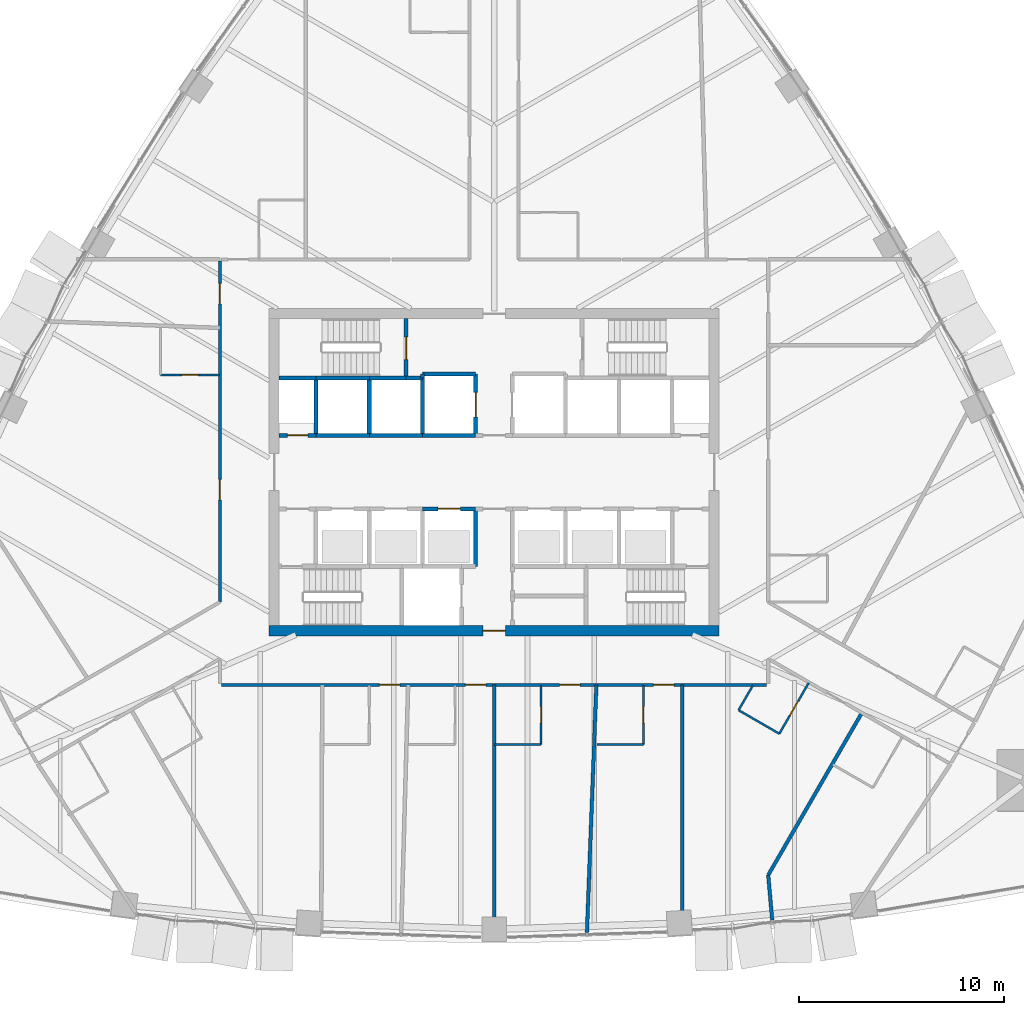
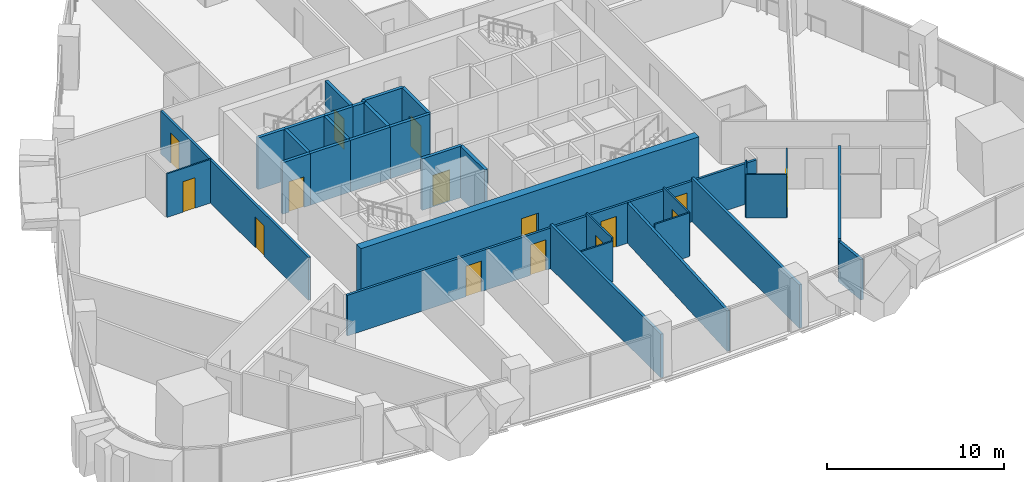
# One storey, part 11 of 18: 33 walls, 15 doors, 15 openings.
"""IFC4 building model written with IfcOpenShell, lengths in metres."""

from ifc_helpers import new_model, si_unit, direction, frame, frame_2d, origin, place, context, subcontext, project, spatial, rectangle, extrude, material, layer, layer_set, type_object, element, fill, save


model = new_model("IFC4")

# Units and contexts
model_context = context("Model", 3, precision=1e-05, world=origin(), true_north=direction((0.0, 1.0)))
body_context = subcontext(model_context, "Body", "Model", "MODEL_VIEW")
ifc_project = project(units=[si_unit("LENGTHUNIT", "METRE"), si_unit("AREAUNIT", "SQUARE_METRE"), si_unit("VOLUMEUNIT", "CUBIC_METRE"), si_unit("PLANEANGLEUNIT", "RADIAN"), si_unit("MASSUNIT", "GRAM", prefix="KILO")], contexts=[model_context])

# Site, building, storey
site_placement = place(None, origin())
site = spatial("IfcSite", under=ifc_project, at=site_placement, CompositionType="ELEMENT")
building_placement = place(site_placement, origin())
building = spatial("IfcBuilding", under=site, at=building_placement, Name="Sierra Prisma Convention Tower", CompositionType="ELEMENT")
storey_placement = place(building_placement, frame((0.0, 0.0, 85.0)))
storey = spatial("IfcBuildingStorey", under=building, at=storey_placement, Name="L17", CompositionType="ELEMENT", Elevation=85.0)

# Wall, opening, door
ifc_material_1 = material(Name="Gypsum board partition", Category="gypsum")
ifc_layer_1 = layer(ifc_material_1, 0.10009765625)
ifc_layer_set_1 = layer_set([ifc_layer_1], Name="Bathroom partition 100")
wall_type_1 = type_object("IfcWallType", Name="Bathroom partition 100", PredefinedType="PARTITIONING", material=ifc_layer_set_1)
wall_1_placement = place(storey_placement, frame((-13.429931640625, 4.7490234375, 0.0), z_axis=(0.0, 0.0, 1.0), x_axis=(-1.0, 0.0, 0.0)))
wall_1 = element("IfcWall", 1, at=wall_1_placement, inside=storey, type_object=wall_type_1, Name="Partition L17 bath 3", PredefinedType="PARTITIONING", context=body_context, shape_type="SweptSolid", body=[
    extrude(rectangle(XDim=2.8701171875, YDim=0.10009765625, at=frame_2d((1.43505859375, 0.0))), origin(), (0.0, 0.0, 1.0), 3.0),
])
opening_1_placement = place(wall_1_placement, frame((1.034912109375, 0.0, 0.0)))
opening_1 = element("IfcOpeningElement", 2, at=opening_1_placement, cuts=wall_1, Name="Opening L17-D005", PredefinedType="OPENING", context=body_context, shape_type="SweptSolid", body=[
    extrude(rectangle(XDim=0.800048828125, YDim=2.10009765625, at=frame_2d((0.39990234375, 1.050048828125))), frame((0.0, 0.050048828125, 0.0), z_axis=(0.0, -1.0, 0.0), x_axis=(1.0, 0.0, 0.0)), (0.0, 0.0, 1.0), 0.10009765625),
])
ifc_material_2 = material(Name="Solid core timber door leaf", Category="wood")
door_type_1 = type_object("IfcDoorType", Name="Door 800x2100 plain", OperationType="SINGLE_SWING_LEFT", PredefinedType="DOOR", material=ifc_material_2)
door_1_placement = place(opening_1_placement, origin())
door_1 = element("IfcDoor", 3, at=door_1_placement, inside=storey, type_object=door_type_1, Name="Door L17 14", OperationType="SINGLE_SWING_LEFT", OverallHeight=2.10009765625, OverallWidth=0.800048828125, PredefinedType="DOOR", context=body_context, shape_type="SweptSolid", body=[
    extrude(rectangle(XDim=0.800048828125, YDim=2.10009765625, at=frame_2d((0.39990234375, 1.050048828125))), frame((0.0, 0.02490234375, 0.0), z_axis=(0.0, -1.0, 0.0), x_axis=(1.0, 0.0, 0.0)), (0.0, 0.0, 1.0), 0.050048828125),
])
fill(opening_1, door_1)

wall_2_placement = place(storey_placement, frame((2.300048828125, -10.429931640625, 0.0), z_axis=(0.0, 0.0, 1.0), x_axis=(0.0, -1.0, 0.0)))
wall_2 = element("IfcWall", 4, at=wall_2_placement, inside=storey, type_object=wall_type_1, Name="Partition L17 bath 15", PredefinedType="PARTITIONING", context=body_context, shape_type="SweptSolid", body=[
    extrude(rectangle(XDim=2.8701171875, YDim=0.10009765625, at=frame_2d((1.43505859375, 0.0))), origin(), (0.0, 0.0, 1.0), 3.0),
])
opening_2_placement = place(wall_2_placement, frame((1.034912109375, 0.0, 0.0)))
opening_2 = element("IfcOpeningElement", 5, at=opening_2_placement, cuts=wall_2, Name="Opening L17-D010", PredefinedType="OPENING", context=body_context, shape_type="SweptSolid", body=[
    extrude(rectangle(XDim=0.800048828125, YDim=2.10009765625, at=frame_2d((0.39990234375, 1.050048828125))), frame((0.0, 0.050048828125, 0.0), z_axis=(0.0, -1.0, 0.0), x_axis=(1.0, 0.0, 0.0)), (0.0, 0.0, 1.0), 0.10009765625),
])
door_2_placement = place(opening_2_placement, origin())
door_2 = element("IfcDoor", 6, at=door_2_placement, inside=storey, type_object=door_type_1, Name="Door L17 26", OperationType="SINGLE_SWING_RIGHT", OverallHeight=2.10009765625, OverallWidth=0.800048828125, PredefinedType="DOOR", context=body_context, shape_type="SweptSolid", body=[
    extrude(rectangle(XDim=0.800048828125, YDim=2.10009765625, at=frame_2d((0.39990234375, 1.050048828125))), frame((0.0, 0.02490234375, 0.0), z_axis=(0.0, -1.0, 0.0), x_axis=(1.0, 0.0, 0.0)), (0.0, 0.0, 1.0), 0.050048828125),
])
fill(opening_2, door_2)

# Wall
wall_3_placement = place(storey_placement, frame((2.300048828125, -13.300048828125, 0.0), z_axis=(0.0, 0.0, 1.0), x_axis=(-1.0, 0.0, 0.0)))
element("IfcWall", 7, at=wall_3_placement, inside=storey, type_object=wall_type_1, Name="Partition L17 bath 16", PredefinedType="PARTITIONING", context=body_context, shape_type="SweptSolid", body=[
    extrude(rectangle(XDim=2.27001953125, YDim=0.10009765625, at=frame_2d((1.135009765625, 0.0))), origin(), (0.0, 0.0, 1.0), 2.797119140625),
])

# Wall, opening, door
wall_4_placement = place(storey_placement, frame((7.300048828125, -10.429931640625, 0.0), z_axis=(0.0, 0.0, 1.0), x_axis=(0.0, -1.0, 0.0)))
wall_4 = element("IfcWall", 8, at=wall_4_placement, inside=storey, type_object=wall_type_1, Name="Partition L17 bath 19", PredefinedType="PARTITIONING", context=body_context, shape_type="SweptSolid", body=[
    extrude(rectangle(XDim=2.8701171875, YDim=0.10009765625, at=frame_2d((1.43505859375, 0.0))), origin(), (0.0, 0.0, 1.0), 3.0),
])
opening_3_placement = place(wall_4_placement, frame((1.034912109375, 0.0, 0.0)))
opening_3 = element("IfcOpeningElement", 9, at=opening_3_placement, cuts=wall_4, Name="Opening L17-D011", PredefinedType="OPENING", context=body_context, shape_type="SweptSolid", body=[
    extrude(rectangle(XDim=0.800048828125, YDim=2.10009765625, at=frame_2d((0.39990234375, 1.050048828125))), frame((0.0, 0.050048828125, 0.0), z_axis=(0.0, -1.0, 0.0), x_axis=(1.0, 0.0, 0.0)), (0.0, 0.0, 1.0), 0.10009765625),
])
door_3_placement = place(opening_3_placement, origin())
door_3 = element("IfcDoor", 10, at=door_3_placement, inside=storey, type_object=door_type_1, Name="Door L17 28", OperationType="SINGLE_SWING_RIGHT", OverallHeight=2.10009765625, OverallWidth=0.800048828125, PredefinedType="DOOR", context=body_context, shape_type="SweptSolid", body=[
    extrude(rectangle(XDim=0.800048828125, YDim=2.10009765625, at=frame_2d((0.39990234375, 1.050048828125))), frame((0.0, 0.02490234375, 0.0), z_axis=(0.0, -1.0, 0.0), x_axis=(1.0, 0.0, 0.0)), (0.0, 0.0, 1.0), 0.050048828125),
])
fill(opening_3, door_3)

# Wall
wall_5_placement = place(storey_placement, frame((7.300048828125, -13.300048828125, 0.0), z_axis=(0.0, 0.0, 1.0), x_axis=(-1.0, 0.0, 0.0)))
element("IfcWall", 11, at=wall_5_placement, inside=storey, type_object=wall_type_1, Name="Partition L17 bath 20", PredefinedType="PARTITIONING", context=body_context, shape_type="SweptSolid", body=[
    extrude(rectangle(XDim=2.27001953125, YDim=0.10009765625, at=frame_2d((1.135009765625, 0.0))), origin(), (0.0, 0.0, 1.0), 3.0),
])

# Wall, opening, door
wall_6_placement = place(storey_placement, frame((15.376953125, -10.298095703125, 0.0), z_axis=(0.0, 0.0, 1.0), x_axis=(-0.499999802827, -0.866025517622, 0.0)))
wall_6 = element("IfcWall", 12, at=wall_6_placement, inside=storey, type_object=wall_type_1, Name="Partition L17 bath 21", PredefinedType="PARTITIONING", context=body_context, shape_type="SweptSolid", body=[
    extrude(rectangle(XDim=2.8701171875, YDim=0.10009765625, at=frame_2d((1.43505859375, 0.0))), origin(), (0.0, 0.0, 1.0), 2.797119140625),
])
opening_4_placement = place(wall_6_placement, frame((1.034912109375, 0.0, 0.0)))
opening_4 = element("IfcOpeningElement", 13, at=opening_4_placement, cuts=wall_6, Name="Opening L17-D012", PredefinedType="OPENING", context=body_context, shape_type="SweptSolid", body=[
    extrude(rectangle(XDim=0.800048828125, YDim=2.10009765625, at=frame_2d((0.39990234375, 1.050048828125))), frame((0.0, 0.050048828125, 0.0), z_axis=(0.0, -1.0, 0.0), x_axis=(1.0, 0.0, 0.0)), (0.0, 0.0, 1.0), 0.10009765625),
])
door_4_placement = place(opening_4_placement, origin())
door_4 = element("IfcDoor", 14, at=door_4_placement, inside=storey, type_object=door_type_1, Name="Door L17 30", OperationType="SINGLE_SWING_RIGHT", OverallHeight=2.10009765625, OverallWidth=0.800048828125, PredefinedType="DOOR", context=body_context, shape_type="SweptSolid", body=[
    extrude(rectangle(XDim=0.800048828125, YDim=2.10009765625, at=frame_2d((0.39990234375, 1.050048828125))), frame((0.0, 0.02490234375, 0.0), z_axis=(0.0, -1.0, 0.0), x_axis=(1.0, 0.0, 0.0)), (0.0, 0.0, 1.0), 0.050048828125),
])
fill(opening_4, door_4)

# Walls
wall_7_placement = place(storey_placement, frame((13.94189453125, -12.78369140625, 0.0), z_axis=(0.0, 0.0, 1.0), x_axis=(-0.866007057882, 0.500031774688, 0.0)))
element("IfcWall", 15, at=wall_7_placement, inside=storey, type_object=wall_type_1, Name="Partition L17 bath 22", PredefinedType="PARTITIONING", context=body_context, shape_type="SweptSolid", body=[
    extrude(rectangle(XDim=2.300048828125, YDim=0.10009765625, at=frame_2d((1.14990234375, 0.0))), origin(), (0.0, 0.0, 1.0), 3.0),
])
wall_8_placement = place(storey_placement, frame((11.949951171875, -11.633544921875, 0.0), z_axis=(0.0, 0.0, 1.0), x_axis=(0.500087364259, 0.86597495813, 0.0)))
element("IfcWall", 16, at=wall_8_placement, inside=storey, type_object=wall_type_1, Name="Partition L17 bath 23", PredefinedType="PARTITIONING", context=body_context, shape_type="SweptSolid", body=[
    extrude(rectangle(XDim=1.389892578125, YDim=0.10009765625, at=frame_2d((0.69482421875, 0.0))), origin(), (0.0, 0.0, 1.0), 3.0),
])

# Wall, opening, door
ifc_material_3 = material(Name="Concrete C30/37", Category="concrete")
ifc_layer_2 = layer(ifc_material_3, 0.199951171875)
ifc_layer_set_2 = layer_set([ifc_layer_2], Name="Core wall RC 200 C30/37")
wall_type_2 = type_object("IfcWallType", Name="Core wall RC 200 C30/37", PredefinedType="SOLIDWALL", material=ifc_layer_set_2)
wall_9_placement = place(storey_placement, frame((-8.699951171875, 1.800048828125, 0.0), z_axis=(0.0, 0.0, 1.0), x_axis=(-1.0, 0.0, 0.0)))
wall_9 = element("IfcWall", 17, at=wall_9_placement, inside=storey, type_object=wall_type_2, Name="Core wall L17 3", PredefinedType="SOLIDWALL", context=body_context, shape_type="SweptSolid", body=[
    extrude(rectangle(XDim=1.800048828125, YDim=0.199951171875, at=frame_2d((0.89990234375, 0.0))), origin(), (0.0, 0.0, 1.0), 3.550048828125),
])
opening_5_placement = place(wall_9_placement, frame((0.39990234375, 0.0, 0.0)))
opening_5 = element("IfcOpeningElement", 18, at=opening_5_placement, cuts=wall_9, Name="Opening L17-D028", PredefinedType="OPENING", context=body_context, shape_type="SweptSolid", body=[
    extrude(rectangle(XDim=1.0, YDim=2.10009765625, at=frame_2d((0.5, 1.050048828125))), frame((0.0, 0.10009765625, 0.0), z_axis=(0.0, -1.0, 0.0), x_axis=(1.0, 0.0, 0.0)), (0.0, 0.0, 1.0), 0.199951171875),
])
ifc_material_4 = material(Name="Steel fire door leaf", Category="steel")
door_type_2 = type_object("IfcDoorType", Name="Door 1000x2100 FD60S", OperationType="SINGLE_SWING_LEFT", PredefinedType="DOOR", material=ifc_material_4)
door_5_placement = place(opening_5_placement, origin())
door_5 = element("IfcDoor", 19, at=door_5_placement, inside=storey, type_object=door_type_2, Name="Door L17 49", OperationType="SINGLE_SWING_RIGHT", OverallHeight=2.10009765625, OverallWidth=1.0, PredefinedType="DOOR", context=body_context, shape_type="SweptSolid", body=[
    extrude(rectangle(XDim=1.0, YDim=2.10009765625, at=frame_2d((0.5, 1.050048828125))), frame((0.0, 0.02490234375, 0.0), z_axis=(0.0, -1.0, 0.0), x_axis=(1.0, 0.0, 0.0)), (0.0, 0.0, 1.0), 0.050048828125),
])
fill(opening_5, door_5)

# Walls
wall_10_placement = place(storey_placement, frame((-8.699951171875, 4.60009765625, 0.0), z_axis=(0.0, 0.0, 1.0), x_axis=(-1.0, 0.0, 0.0)))
element("IfcWall", 20, at=wall_10_placement, inside=storey, type_object=wall_type_2, Name="Core wall L17 4", PredefinedType="SOLIDWALL", context=body_context, shape_type="SweptSolid", body=[
    extrude(rectangle(XDim=1.800048828125, YDim=0.199951171875, at=frame_2d((0.89990234375, 0.0))), origin(), (0.0, 0.0, 1.0), 3.550048828125),
])
wall_11_placement = place(storey_placement, frame((-6.10009765625, 1.800048828125, 0.0), z_axis=(0.0, 0.0, 1.0), x_axis=(-1.0, 0.0, 0.0)))
element("IfcWall", 21, at=wall_11_placement, inside=storey, type_object=wall_type_2, Name="Core wall L17 8", PredefinedType="SOLIDWALL", context=body_context, shape_type="SweptSolid", body=[
    extrude(rectangle(XDim=2.599853515625, YDim=0.199951171875, at=frame_2d((1.2998046875, 0.0))), origin(), (0.0, 0.0, 1.0), 3.550048828125),
])
wall_12_placement = place(storey_placement, frame((-8.699951171875, 1.800048828125, 0.0), z_axis=(0.0, 0.0, 1.0), x_axis=(0.0, 1.0, 0.0)))
element("IfcWall", 22, at=wall_12_placement, inside=storey, type_object=wall_type_2, Name="Core wall L17 9", PredefinedType="SOLIDWALL", context=body_context, shape_type="SweptSolid", body=[
    extrude(rectangle(XDim=2.800048828125, YDim=0.199951171875, at=frame_2d((1.39990234375, 0.0))), origin(), (0.0, 0.0, 1.0), 3.550048828125),
])
wall_13_placement = place(storey_placement, frame((-6.10009765625, 4.60009765625, 0.0), z_axis=(0.0, 0.0, 1.0), x_axis=(-1.0, 0.0, 0.0)))
element("IfcWall", 23, at=wall_13_placement, inside=storey, type_object=wall_type_2, Name="Core wall L17 10", PredefinedType="SOLIDWALL", context=body_context, shape_type="SweptSolid", body=[
    extrude(rectangle(XDim=2.599853515625, YDim=0.199951171875, at=frame_2d((1.2998046875, 0.0))), origin(), (0.0, 0.0, 1.0), 3.550048828125),
])
wall_14_placement = place(storey_placement, frame((-3.5, 1.800048828125, 0.0), z_axis=(0.0, 0.0, 1.0), x_axis=(-1.0, 0.0, 0.0)))
element("IfcWall", 24, at=wall_14_placement, inside=storey, type_object=wall_type_2, Name="Core wall L17 14", PredefinedType="SOLIDWALL", context=body_context, shape_type="SweptSolid", body=[
    extrude(rectangle(XDim=2.60009765625, YDim=0.199951171875, at=frame_2d((1.300048828125, 0.0))), origin(), (0.0, 0.0, 1.0), 3.550048828125),
])
wall_15_placement = place(storey_placement, frame((-6.10009765625, 1.800048828125, 0.0), z_axis=(0.0, 0.0, 1.0), x_axis=(0.0, 1.0, 0.0)))
element("IfcWall", 25, at=wall_15_placement, inside=storey, type_object=wall_type_2, Name="Core wall L17 15", PredefinedType="SOLIDWALL", context=body_context, shape_type="SweptSolid", body=[
    extrude(rectangle(XDim=2.800048828125, YDim=0.199951171875, at=frame_2d((1.39990234375, 0.0))), origin(), (0.0, 0.0, 1.0), 3.550048828125),
])
wall_16_placement = place(storey_placement, frame((-4.300048828125, 4.60009765625, 0.0), z_axis=(0.0, 0.0, 1.0), x_axis=(-1.0, 0.0, 0.0)))
element("IfcWall", 26, at=wall_16_placement, inside=storey, type_object=wall_type_2, Name="Core wall L17 16", PredefinedType="SOLIDWALL", context=body_context, shape_type="SweptSolid", body=[
    extrude(rectangle(XDim=1.800048828125, YDim=0.199951171875, at=frame_2d((0.89990234375, 0.0))), origin(), (0.0, 0.0, 1.0), 3.550048828125),
])
wall_17_placement = place(storey_placement, frame((-3.5, 4.60009765625, 0.0), z_axis=(0.0, 0.0, 1.0), x_axis=(-1.0, 0.0, 0.0)))
element("IfcWall", 27, at=wall_17_placement, inside=storey, type_object=wall_type_2, Name="Core wall L17 19", PredefinedType="SOLIDWALL", context=body_context, shape_type="SweptSolid", body=[
    extrude(rectangle(XDim=0.800048828125, YDim=0.199951171875, at=frame_2d((0.39990234375, 0.0))), origin(), (0.0, 0.0, 1.0), 3.550048828125),
])

# Wall, opening, door
wall_18_placement = place(storey_placement, frame((-4.300048828125, 4.60009765625, 0.0), z_axis=(0.0, 0.0, 1.0), x_axis=(0.0, 1.0, 0.0)))
wall_18 = element("IfcWall", 28, at=wall_18_placement, inside=storey, type_object=wall_type_2, Name="Core wall L17 20", PredefinedType="SOLIDWALL", context=body_context, shape_type="SweptSolid", body=[
    extrude(rectangle(XDim=2.89990234375, YDim=0.199951171875, at=frame_2d((1.449951171875, 0.0))), origin(), (0.0, 0.0, 1.0), 3.550048828125),
])
opening_6_placement = place(wall_18_placement, frame((0.89990234375, 0.0, 0.0)))
opening_6 = element("IfcOpeningElement", 29, at=opening_6_placement, cuts=wall_18, Name="Opening L17-D032", PredefinedType="OPENING", context=body_context, shape_type="SweptSolid", body=[
    extrude(rectangle(XDim=1.10009765625, YDim=2.10009765625, at=frame_2d((0.550048828125, 1.050048828125))), frame((0.0, 0.10009765625, 0.0), z_axis=(0.0, -1.0, 0.0), x_axis=(1.0, 0.0, 0.0)), (0.0, 0.0, 1.0), 0.199951171875),
])
ifc_material_5 = material(Name="Steel fire door leaf", Category="steel")
door_type_3 = type_object("IfcDoorType", Name="Door 1100x2100 FD90S", OperationType="SINGLE_SWING_LEFT", PredefinedType="DOOR", material=ifc_material_5)
door_6_placement = place(opening_6_placement, origin())
door_6 = element("IfcDoor", 30, at=door_6_placement, inside=storey, type_object=door_type_3, Name="Door L17 53", OperationType="SINGLE_SWING_LEFT", OverallHeight=2.10009765625, OverallWidth=1.10009765625, PredefinedType="DOOR", context=body_context, shape_type="SweptSolid", body=[
    extrude(rectangle(XDim=1.10009765625, YDim=2.10009765625, at=frame_2d((0.550048828125, 1.050048828125))), frame((0.0, 0.02490234375, 0.0), z_axis=(0.0, -1.0, 0.0), x_axis=(1.0, 0.0, 0.0)), (0.0, 0.0, 1.0), 0.050048828125),
])
fill(opening_6, door_6)

wall_19_placement = place(storey_placement, frame((-3.5, -1.800048828125, 0.0), z_axis=(0.0, 0.0, 1.0), x_axis=(1.0, 0.0, 0.0)))
wall_19 = element("IfcWall", 31, at=wall_19_placement, inside=storey, type_object=wall_type_2, Name="Core wall L17 23", PredefinedType="SOLIDWALL", context=body_context, shape_type="SweptSolid", body=[
    extrude(rectangle(XDim=2.60009765625, YDim=0.199951171875, at=frame_2d((1.300048828125, 0.0))), origin(), (0.0, 0.0, 1.0), 3.550048828125),
])
opening_7_placement = place(wall_19_placement, frame((0.75, 0.0, 0.0)))
opening_7 = element("IfcOpeningElement", 32, at=opening_7_placement, cuts=wall_19, Name="Opening L17-D017", PredefinedType="OPENING", context=body_context, shape_type="SweptSolid", body=[
    extrude(rectangle(XDim=1.10009765625, YDim=2.10009765625, at=frame_2d((0.550048828125, 1.050048828125))), frame((0.0, 0.10009765625, 0.0), z_axis=(0.0, -1.0, 0.0), x_axis=(1.0, 0.0, 0.0)), (0.0, 0.0, 1.0), 0.199951171875),
])
ifc_material_6 = material(Name="Steel fire door leaf", Category="steel")
door_type_4 = type_object("IfcDoorType", Name="Door 1100x2100 EI 90 sliding lift landing", OperationType="SLIDING_TO_LEFT", PredefinedType="DOOR", material=ifc_material_6)
door_7_placement = place(opening_7_placement, origin())
door_7 = element("IfcDoor", 33, at=door_7_placement, inside=storey, type_object=door_type_4, Name="Door L17 38", OperationType="SLIDING_TO_RIGHT", OverallHeight=2.10009765625, OverallWidth=1.10009765625, PredefinedType="DOOR", context=body_context, shape_type="SweptSolid", body=[
    extrude(rectangle(XDim=1.10009765625, YDim=2.10009765625, at=frame_2d((0.550048828125, 1.050048828125))), frame((0.0, 0.02490234375, 0.0), z_axis=(0.0, -1.0, 0.0), x_axis=(1.0, 0.0, 0.0)), (0.0, 0.0, 1.0), 0.050048828125),
])
fill(opening_7, door_7)

# Walls
wall_20_placement = place(storey_placement, frame((-0.89990234375, 1.800048828125, 0.0), z_axis=(0.0, 0.0, 1.0), x_axis=(-1.0, 0.0, 0.0)))
element("IfcWall", 34, at=wall_20_placement, inside=storey, type_object=wall_type_2, Name="Core wall L17 24", PredefinedType="SOLIDWALL", context=body_context, shape_type="SweptSolid", body=[
    extrude(rectangle(XDim=2.60009765625, YDim=0.199951171875, at=frame_2d((1.300048828125, 0.0))), origin(), (0.0, 0.0, 1.0), 3.550048828125),
])
wall_21_placement = place(storey_placement, frame((-3.5, 4.60009765625, 0.0), z_axis=(0.0, 0.0, 1.0), x_axis=(0.0, -1.0, 0.0)))
element("IfcWall", 35, at=wall_21_placement, inside=storey, type_object=wall_type_2, Name="Core wall L17 25", PredefinedType="SOLIDWALL", context=body_context, shape_type="SweptSolid", body=[
    extrude(rectangle(XDim=2.800048828125, YDim=0.199951171875, at=frame_2d((1.39990234375, 0.0))), origin(), (0.0, 0.0, 1.0), 3.550048828125),
])

# Wall, opening, door
wall_22_placement = place(storey_placement, frame((-0.89990234375, 1.800048828125, 0.0), z_axis=(0.0, 0.0, 1.0), x_axis=(0.0, 1.0, 0.0)))
wall_22 = element("IfcWall", 36, at=wall_22_placement, inside=storey, type_object=wall_type_2, Name="Core wall L17 26", PredefinedType="SOLIDWALL", context=body_context, shape_type="SweptSolid", body=[
    extrude(rectangle(XDim=3.0, YDim=0.199951171875, at=frame_2d((1.5, 0.0))), origin(), (0.0, 0.0, 1.0), 3.550048828125),
])
opening_8_placement = place(wall_22_placement, frame((0.89990234375, 0.0, 0.0)))
opening_8 = element("IfcOpeningElement", 37, at=opening_8_placement, cuts=wall_22, Name="Opening L17-D021", PredefinedType="OPENING", context=body_context, shape_type="SweptSolid", body=[
    extrude(rectangle(XDim=1.199951171875, YDim=2.10009765625, at=frame_2d((0.60009765625, 1.050048828125))), frame((0.0, 0.10009765625, 0.0), z_axis=(0.0, -1.0, 0.0), x_axis=(1.0, 0.0, 0.0)), (0.0, 0.0, 1.0), 0.199951171875),
])
ifc_material_7 = material(Name="Steel fire door leaf", Category="steel")
door_type_5 = type_object("IfcDoorType", Name="Door 1200x2100 EI 90 sliding lift landing", OperationType="SLIDING_TO_LEFT", PredefinedType="DOOR", material=ifc_material_7)
door_8_placement = place(opening_8_placement, origin())
door_8 = element("IfcDoor", 38, at=door_8_placement, inside=storey, type_object=door_type_5, Name="Door L17 42", OperationType="SLIDING_TO_RIGHT", OverallHeight=2.10009765625, OverallWidth=1.199951171875, PredefinedType="DOOR", context=body_context, shape_type="SweptSolid", body=[
    extrude(rectangle(XDim=1.199951171875, YDim=2.10009765625, at=frame_2d((0.60009765625, 1.050048828125))), frame((0.0, 0.02490234375, 0.0), z_axis=(0.0, -1.0, 0.0), x_axis=(1.0, 0.0, 0.0)), (0.0, 0.0, 1.0), 0.050048828125),
])
fill(opening_8, door_8)

# Walls
wall_23_placement = place(storey_placement, frame((-0.89990234375, 4.800048828125, 0.0), z_axis=(0.0, 0.0, 1.0), x_axis=(-1.0, 0.0, 0.0)))
element("IfcWall", 39, at=wall_23_placement, inside=storey, type_object=wall_type_2, Name="Core wall L17 27", PredefinedType="SOLIDWALL", context=body_context, shape_type="SweptSolid", body=[
    extrude(rectangle(XDim=2.60009765625, YDim=0.199951171875, at=frame_2d((1.300048828125, 0.0))), origin(), (0.0, 0.0, 1.0), 3.550048828125),
])
wall_24_placement = place(storey_placement, frame((-3.5, 4.800048828125, 0.0), z_axis=(0.0, 0.0, 1.0), x_axis=(0.0, -1.0, 0.0)))
element("IfcWall", 40, at=wall_24_placement, inside=storey, type_object=wall_type_2, Name="Core wall L17 28", PredefinedType="SOLIDWALL", context=body_context, shape_type="SweptSolid", body=[
    extrude(rectangle(XDim=0.199951171875, YDim=0.199951171875, at=frame_2d((0.10009765625, 0.0))), origin(), (0.0, 0.0, 1.0), 3.550048828125),
])
wall_25_placement = place(storey_placement, frame((-0.89990234375, -4.60009765625, 0.0), z_axis=(0.0, 0.0, 1.0), x_axis=(0.0, 1.0, 0.0)))
element("IfcWall", 41, at=wall_25_placement, inside=storey, type_object=wall_type_2, Name="Core wall L17 31", PredefinedType="SOLIDWALL", context=body_context, shape_type="SweptSolid", body=[
    extrude(rectangle(XDim=2.800048828125, YDim=0.199951171875, at=frame_2d((1.39990234375, 0.0))), origin(), (0.0, 0.0, 1.0), 3.550048828125),
])

# Wall, opening, door
ifc_material_8 = material(Name="Concrete C60/75", Category="concrete")
ifc_layer_3 = layer(ifc_material_8, 0.5)
ifc_layer_set_3 = layer_set([ifc_layer_3], Name="Core wall RC 500 C60/75")
wall_type_3 = type_object("IfcWallType", Name="Core wall RC 500 C60/75", PredefinedType="SHEAR", material=ifc_layer_set_3)
wall_26_placement = place(storey_placement, frame((-11.0, -7.75, 0.0), z_axis=(0.0, 0.0, 1.0), x_axis=(1.0, 0.0, 0.0)))
wall_26 = element("IfcWall", 42, at=wall_26_placement, inside=storey, type_object=wall_type_3, Name="Core wall S L17", PredefinedType="SHEAR", context=body_context, shape_type="SweptSolid", body=[
    extrude(rectangle(XDim=22.0, YDim=0.5, at=frame_2d((11.0, 0.0))), origin(), (0.0, 0.0, 1.0), 3.699951171875),
])
opening_9_placement = place(wall_26_placement, frame((10.449951171875, 0.0, 0.0)))
opening_9 = element("IfcOpeningElement", 43, at=opening_9_placement, cuts=wall_26, Name="Opening L17-D059", PredefinedType="OPENING", context=body_context, shape_type="SweptSolid", body=[
    extrude(rectangle(XDim=1.10009765625, YDim=2.10009765625, at=frame_2d((0.550048828125, 1.050048828125))), frame((0.0, 0.25, 0.0), z_axis=(0.0, -1.0, 0.0), x_axis=(1.0, 0.0, 0.0)), (0.0, 0.0, 1.0), 0.5),
])
ifc_material_9 = material(Name="Steel fire door leaf", Category="steel")
door_type_6 = type_object("IfcDoorType", Name="Door 1100x2100 FD30S", OperationType="SINGLE_SWING_LEFT", PredefinedType="DOOR", material=ifc_material_9)
door_9_placement = place(opening_9_placement, origin())
door_9 = element("IfcDoor", 44, at=door_9_placement, inside=storey, type_object=door_type_6, Name="Door L17 60", OperationType="SINGLE_SWING_LEFT", OverallHeight=2.10009765625, OverallWidth=1.10009765625, PredefinedType="DOOR", context=body_context, shape_type="SweptSolid", body=[
    extrude(rectangle(XDim=1.10009765625, YDim=2.10009765625, at=frame_2d((0.550048828125, 1.050048828125))), frame((0.0, 0.02490234375, 0.0), z_axis=(0.0, -1.0, 0.0), x_axis=(1.0, 0.0, 0.0)), (0.0, 0.0, 1.0), 0.050048828125),
])
fill(opening_9, door_9)

# Wall, openings, doors
ifc_material_10 = material(Name="Gypsum board partition", Category="gypsum")
ifc_layer_4 = layer(ifc_material_10, 0.14990234375)
ifc_layer_set_4 = layer_set([ifc_layer_4], Name="Corridor wall 150 gypsum EI 60")
wall_type_4 = type_object("IfcWallType", Name="Corridor wall 150 gypsum EI 60", PredefinedType="PARTITIONING", material=ifc_layer_set_4)
wall_27_placement = place(storey_placement, frame((-13.39990234375, 10.320068359375, 0.0), z_axis=(0.0, 0.0, 1.0), x_axis=(0.0, -1.0, 0.0)))
wall_27 = element("IfcWall", 45, at=wall_27_placement, inside=storey, type_object=wall_type_4, Name="Partition L17 corr 2", PredefinedType="PARTITIONING", context=body_context, shape_type="SweptSolid", body=[
    extrude(rectangle(XDim=16.6708984375, YDim=0.14990234375, at=frame_2d((8.33544921875, 0.0))), origin(), (0.0, 0.0, 1.0), 2.947021484375),
])
opening_10_placement = place(wall_27_placement, frame((1.095458984375, 0.0, 0.0)))
opening_10 = element("IfcOpeningElement", 46, at=opening_10_placement, cuts=wall_27, Name="Opening L17-D043", PredefinedType="OPENING", context=body_context, shape_type="SweptSolid", body=[
    extrude(rectangle(XDim=1.0, YDim=2.10009765625, at=frame_2d((0.5, 1.050048828125))), frame((0.0, 0.074951171875, 0.0), z_axis=(0.0, -1.0, 0.0), x_axis=(1.0, 0.0, 0.0)), (0.0, 0.0, 1.0), 0.14990234375),
])
opening_11_placement = place(wall_27_placement, frame((10.6708984375, 0.0, 0.0)))
opening_11 = element("IfcOpeningElement", 47, at=opening_11_placement, cuts=wall_27, Name="Opening L17-D044", PredefinedType="OPENING", context=body_context, shape_type="SweptSolid", body=[
    extrude(rectangle(XDim=1.0, YDim=2.10009765625, at=frame_2d((0.5, 1.050048828125))), frame((0.0, 0.074951171875, 0.0), z_axis=(0.0, -1.0, 0.0), x_axis=(1.0, 0.0, 0.0)), (0.0, 0.0, 1.0), 0.14990234375),
])
ifc_material_11 = material(Name="Steel fire door leaf", Category="steel")
door_type_7 = type_object("IfcDoorType", Name="Door 1000x2100 FD30S", OperationType="SINGLE_SWING_LEFT", PredefinedType="DOOR", material=ifc_material_11)
door_10_placement = place(opening_10_placement, origin())
door_10 = element("IfcDoor", 48, at=door_10_placement, inside=storey, type_object=door_type_7, Name="Door L17 12", OperationType="SINGLE_SWING_LEFT", OverallHeight=2.10009765625, OverallWidth=1.0, PredefinedType="DOOR", context=body_context, shape_type="SweptSolid", body=[
    extrude(rectangle(XDim=1.0, YDim=2.10009765625, at=frame_2d((0.5, 1.050048828125))), frame((0.0, 0.02490234375, 0.0), z_axis=(0.0, -1.0, 0.0), x_axis=(1.0, 0.0, 0.0)), (0.0, 0.0, 1.0), 0.050048828125),
])
fill(opening_10, door_10)
door_11_placement = place(opening_11_placement, origin())
door_11 = element("IfcDoor", 49, at=door_11_placement, inside=storey, type_object=door_type_7, Name="Door L17 13", OperationType="SINGLE_SWING_RIGHT", OverallHeight=2.10009765625, OverallWidth=1.0, PredefinedType="DOOR", context=body_context, shape_type="SweptSolid", body=[
    extrude(rectangle(XDim=1.0, YDim=2.10009765625, at=frame_2d((0.5, 1.050048828125))), frame((0.0, 0.02490234375, 0.0), z_axis=(0.0, -1.0, 0.0), x_axis=(1.0, 0.0, 0.0)), (0.0, 0.0, 1.0), 0.050048828125),
])
fill(opening_11, door_11)

wall_28_placement = place(storey_placement, frame((-13.320068359375, -10.39990234375, 0.0), z_axis=(0.0, 0.0, 1.0), x_axis=(1.0, 0.0, 0.0)))
wall_28 = element("IfcWall", 50, at=wall_28_placement, inside=storey, type_object=wall_type_4, Name="Partition L17 corr 6", PredefinedType="PARTITIONING", context=body_context, shape_type="SweptSolid", body=[
    extrude(rectangle(XDim=26.64013671875, YDim=0.14990234375, at=frame_2d((13.320068359375, 0.0))), origin(), (0.0, 0.0, 1.0), 2.797119140625),
])
opening_12_placement = place(wall_28_placement, frame((7.719970703125, 0.0, 0.0)))
opening_12 = element("IfcOpeningElement", 51, at=opening_12_placement, cuts=wall_28, Name="Opening L17-D049", PredefinedType="OPENING", context=body_context, shape_type="SweptSolid", body=[
    extrude(rectangle(XDim=1.0, YDim=2.10009765625, at=frame_2d((0.5, 1.050048828125))), frame((0.0, 0.074951171875, 0.0), z_axis=(0.0, -1.0, 0.0), x_axis=(1.0, 0.0, 0.0)), (0.0, 0.0, 1.0), 0.14990234375),
])
opening_13_placement = place(wall_28_placement, frame((11.919921875, 0.0, 0.0)))
opening_13 = element("IfcOpeningElement", 52, at=opening_13_placement, cuts=wall_28, Name="Opening L17-D050", PredefinedType="OPENING", context=body_context, shape_type="SweptSolid", body=[
    extrude(rectangle(XDim=1.0, YDim=2.10009765625, at=frame_2d((0.5, 1.050048828125))), frame((0.0, 0.074951171875, 0.0), z_axis=(0.0, -1.0, 0.0), x_axis=(1.0, 0.0, 0.0)), (0.0, 0.0, 1.0), 0.14990234375),
])
opening_14_placement = place(wall_28_placement, frame((16.52001953125, 0.0, 0.0)))
opening_14 = element("IfcOpeningElement", 53, at=opening_14_placement, cuts=wall_28, Name="Opening L17-D051", PredefinedType="OPENING", context=body_context, shape_type="SweptSolid", body=[
    extrude(rectangle(XDim=1.0, YDim=2.10009765625, at=frame_2d((0.5, 1.050048828125))), frame((0.0, 0.074951171875, 0.0), z_axis=(0.0, -1.0, 0.0), x_axis=(1.0, 0.0, 0.0)), (0.0, 0.0, 1.0), 0.14990234375),
])
opening_15_placement = place(wall_28_placement, frame((21.1201171875, 0.0, 0.0)))
opening_15 = element("IfcOpeningElement", 54, at=opening_15_placement, cuts=wall_28, Name="Opening L17-D052", PredefinedType="OPENING", context=body_context, shape_type="SweptSolid", body=[
    extrude(rectangle(XDim=1.0, YDim=2.10009765625, at=frame_2d((0.5, 1.050048828125))), frame((0.0, 0.074951171875, 0.0), z_axis=(0.0, -1.0, 0.0), x_axis=(1.0, 0.0, 0.0)), (0.0, 0.0, 1.0), 0.14990234375),
])
door_12_placement = place(opening_12_placement, origin())
door_12 = element("IfcDoor", 55, at=door_12_placement, inside=storey, type_object=door_type_7, Name="Door L17 21", OperationType="SINGLE_SWING_LEFT", OverallHeight=2.10009765625, OverallWidth=1.0, PredefinedType="DOOR", context=body_context, shape_type="SweptSolid", body=[
    extrude(rectangle(XDim=1.0, YDim=2.10009765625, at=frame_2d((0.5, 1.050048828125))), frame((0.0, 0.02490234375, 0.0), z_axis=(0.0, -1.0, 0.0), x_axis=(1.0, 0.0, 0.0)), (0.0, 0.0, 1.0), 0.050048828125),
])
fill(opening_12, door_12)
door_13_placement = place(opening_13_placement, origin())
door_13 = element("IfcDoor", 56, at=door_13_placement, inside=storey, type_object=door_type_7, Name="Door L17 23", OperationType="SINGLE_SWING_LEFT", OverallHeight=2.10009765625, OverallWidth=1.0, PredefinedType="DOOR", context=body_context, shape_type="SweptSolid", body=[
    extrude(rectangle(XDim=1.0, YDim=2.10009765625, at=frame_2d((0.5, 1.050048828125))), frame((0.0, 0.02490234375, 0.0), z_axis=(0.0, -1.0, 0.0), x_axis=(1.0, 0.0, 0.0)), (0.0, 0.0, 1.0), 0.050048828125),
])
fill(opening_13, door_13)
door_14_placement = place(opening_14_placement, origin())
door_14 = element("IfcDoor", 57, at=door_14_placement, inside=storey, type_object=door_type_7, Name="Door L17 25", OperationType="SINGLE_SWING_LEFT", OverallHeight=2.10009765625, OverallWidth=1.0, PredefinedType="DOOR", context=body_context, shape_type="SweptSolid", body=[
    extrude(rectangle(XDim=1.0, YDim=2.10009765625, at=frame_2d((0.5, 1.050048828125))), frame((0.0, 0.02490234375, 0.0), z_axis=(0.0, -1.0, 0.0), x_axis=(1.0, 0.0, 0.0)), (0.0, 0.0, 1.0), 0.050048828125),
])
fill(opening_14, door_14)
door_15_placement = place(opening_15_placement, origin())
door_15 = element("IfcDoor", 58, at=door_15_placement, inside=storey, type_object=door_type_7, Name="Door L17 27", OperationType="SINGLE_SWING_LEFT", OverallHeight=2.10009765625, OverallWidth=1.0, PredefinedType="DOOR", context=body_context, shape_type="SweptSolid", body=[
    extrude(rectangle(XDim=1.0, YDim=2.10009765625, at=frame_2d((0.5, 1.050048828125))), frame((0.0, 0.02490234375, 0.0), z_axis=(0.0, -1.0, 0.0), x_axis=(1.0, 0.0, 0.0)), (0.0, 0.0, 1.0), 0.050048828125),
])
fill(opening_15, door_15)

# Walls
ifc_material_12 = material(Name="Acoustic gypsum board partition", Category="gypsum")
ifc_layer_5 = layer(ifc_material_12, 0.175048828125)
ifc_layer_set_5 = layer_set([ifc_layer_5], Name="Guest room party wall 175 acoustic EI 60")
wall_type_5 = type_object("IfcWallType", Name="Guest room party wall 175 acoustic EI 60", PredefinedType="PARTITIONING", material=ifc_layer_set_5)
wall_29_placement = place(storey_placement, frame((0.0, -10.39990234375, 0.0), z_axis=(0.0, 0.0, 1.0), x_axis=(0.0, -1.0, 0.0)))
element("IfcWall", 59, at=wall_29_placement, inside=storey, type_object=wall_type_5, Name="Partition L17 hparty 12", PredefinedType="PARTITIONING", context=body_context, shape_type="SweptSolid", body=[
    extrude(rectangle(XDim=12.477294921875, YDim=0.175048828125, at=frame_2d((6.23876953125, 0.0))), origin(), (0.0, 0.0, 1.0), 3.0),
])
wall_30_placement = place(storey_placement, frame((5.0, -10.39990234375, 0.0), z_axis=(0.0, 0.0, 1.0), x_axis=(-0.038096970103, -0.999274046931, 0.0)))
element("IfcWall", 60, at=wall_30_placement, inside=storey, type_object=wall_type_5, Name="Partition L17 hparty 15", PredefinedType="PARTITIONING", context=body_context, shape_type="SweptSolid", body=[
    extrude(rectangle(XDim=12.10546875, YDim=0.175048828125, at=frame_2d((6.052734375, 0.0))), origin(), (0.0, 0.0, 1.0), 2.783935546875),
])
wall_31_placement = place(storey_placement, frame((9.199951171875, -10.39990234375, 0.0), z_axis=(0.0, 0.0, 1.0), x_axis=(0.0, -1.0, 0.0)))
element("IfcWall", 61, at=wall_31_placement, inside=storey, type_object=wall_type_5, Name="Partition L17 hparty 16", PredefinedType="PARTITIONING", context=body_context, shape_type="SweptSolid", body=[
    extrude(rectangle(XDim=12.165771484375, YDim=0.175048828125, at=frame_2d((6.0830078125, 0.0))), origin(), (0.0, 0.0, 1.0), 3.0),
])
wall_32_placement = place(storey_placement, frame((17.976318359375, -11.764404296875, 0.0), z_axis=(0.0, 0.0, 1.0), x_axis=(-0.500014927562, -0.866016785181, 0.0)))
element("IfcWall", 62, at=wall_32_placement, inside=storey, type_object=wall_type_5, Name="Partition L17 hparty 18", PredefinedType="PARTITIONING", context=body_context, shape_type="SweptSolid", body=[
    extrude(rectangle(XDim=9.152587890625, YDim=0.175048828125, at=frame_2d((4.576171875, 0.0))), origin(), (0.0, 0.0, 1.0), 2.943115234375),
])
wall_33_placement = place(storey_placement, frame((13.39990234375, -19.690673828125, 0.0), z_axis=(0.0, 0.0, 1.0), x_axis=(0.087462475332, -0.996167814883, 0.0)))
element("IfcWall", 63, at=wall_33_placement, inside=storey, type_object=wall_type_5, Name="Partition L17 hparty 19", PredefinedType="PARTITIONING", context=body_context, shape_type="SweptSolid", body=[
    extrude(rectangle(XDim=2.213623046875, YDim=0.175048828125, at=frame_2d((1.10693359375, 0.0))), origin(), (0.0, 0.0, 1.0), 2.783935546875),
])

save(model, "model.ifc")
